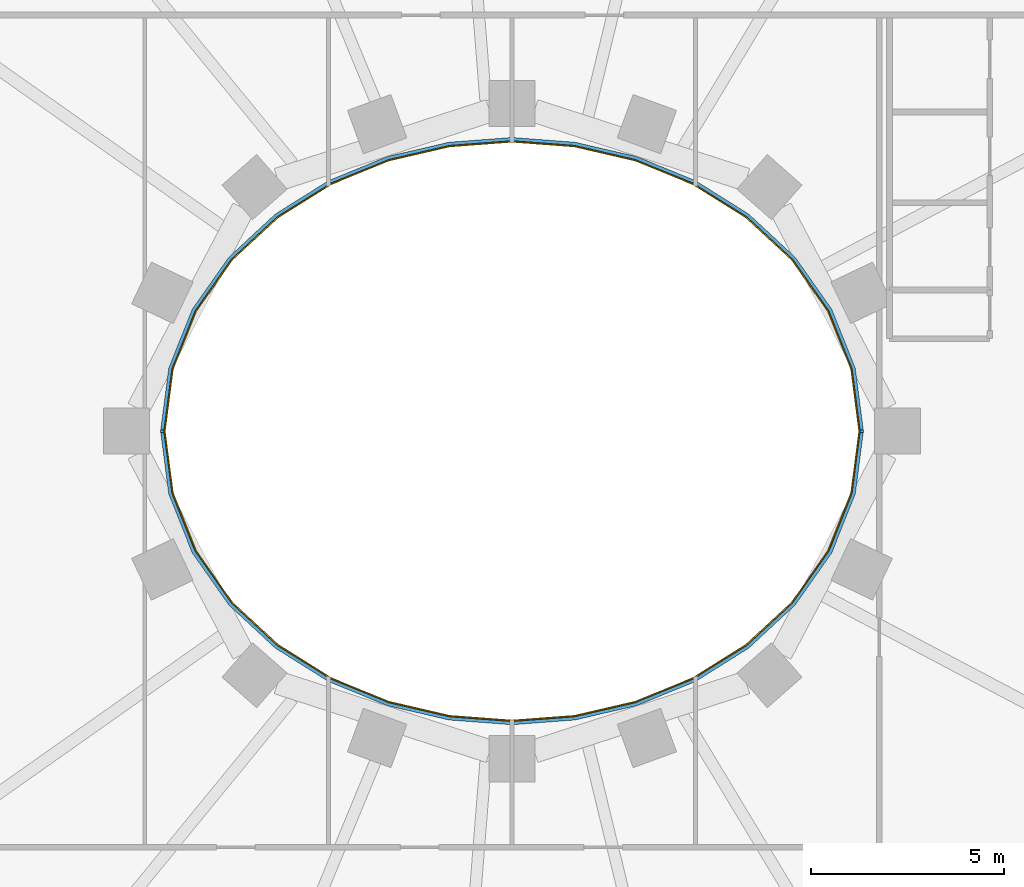
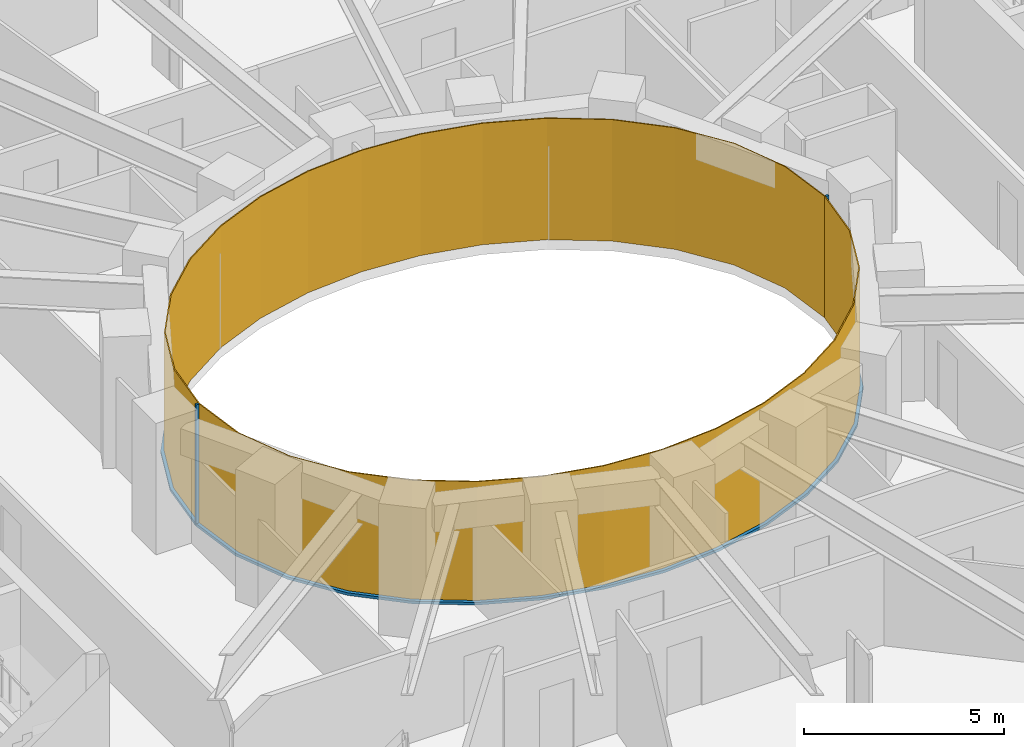
# One storey, part 10 of 15: 4 members, 2 curtain walls.
"""IFC4 building model written with IfcOpenShell, lengths in metres."""

from ifc_helpers import new_model, si_unit, direction, frame, origin, origin_2d, place, context, subcontext, project, spatial, polyline, rectangle, outline, extrude, material, layer, layer_set, material_profile, profile_set, type_object, element, aggregate, save


model = new_model("IFC4")

# Units and contexts
model_context = context("Model", 3, precision=1e-05, world=origin(), true_north=direction((0.0, 1.0)))
body_context = subcontext(model_context, "Body", "Model", "MODEL_VIEW")
ifc_project = project(units=[si_unit("LENGTHUNIT", "METRE"), si_unit("AREAUNIT", "SQUARE_METRE"), si_unit("VOLUMEUNIT", "CUBIC_METRE"), si_unit("PLANEANGLEUNIT", "RADIAN"), si_unit("MASSUNIT", "GRAM", prefix="KILO")], contexts=[model_context])

# Member
ifc_material_1 = material(Name="Steel S355 fire-resisting frame", Category="steel")
ifc_material_profile = material_profile(ifc_material_1, rectangle(XDim=0.090087890625, YDim=0.06005859375, at=origin_2d()), Name="90x60")
ifc_profile_set = profile_set([ifc_material_profile], Name="Steel S355 fire-resisting frame")
member_type_1 = type_object("IfcMemberType", Name="ENV-MULLION-W-90", PredefinedType="MULLION", material=ifc_profile_set)
site_placement = place(None, origin())
building_placement = place(site_placement, origin())
storey_placement = place(building_placement, frame((0.0, 0.0, 92.0)))
member_1_placement = place(storey_placement, frame((9.076904296875, 0.0, 0.0), z_axis=(0.0, 0.0, 1.0), x_axis=(1.0, 0.0, 0.0)))
member_1 = element("IfcMember", 1, at=member_1_placement, type_object=member_type_1, Name="Mullion W well vertex 01", PredefinedType="MULLION", context=body_context, shape_type="SweptSolid", body=[
    extrude(rectangle(XDim=0.090087890625, YDim=0.06005859375, at=origin_2d()), origin(), (0.0, 0.0, 1.0), 3.699951171875),
])

member_2_placement = place(storey_placement, frame((-9.076904296875, 0.0, 0.0), z_axis=(0.0, 0.0, 1.0), x_axis=(-1.0, 0.0, 0.0)))
member_2 = element("IfcMember", 2, at=member_2_placement, type_object=member_type_1, Name="Mullion W well vertex 17", PredefinedType="MULLION", context=body_context, shape_type="SweptSolid", body=[
    extrude(rectangle(XDim=0.090087890625, YDim=0.06005859375, at=origin_2d()), origin(), (0.0, 0.0, 1.0), 3.699951171875),
])

ifc_material_2 = material(Name="Steel S355 fire-resisting frame", Category="steel")
member_type_2 = type_object("IfcMemberType", Name="ENV-TRANSOM-W", PredefinedType="USERDEFINED", material=ifc_material_2)
member_3_placement = place(storey_placement, origin())
member_3 = element("IfcMember", 3, at=member_3_placement, type_object=member_type_2, Name="Transom W well 01-17", ObjectType="TRANSOM", PredefinedType="USERDEFINED", context=body_context, shape_type="SweptSolid", body=[
    extrude(outline(polyline([(9.119384765625, 0.02783203125), (8.910400390625, 1.63623046875), (8.29833984375, 3.167236328125), (7.35107421875, 4.5146484375), (6.1455078125, 5.6337890625), (4.75341796875, 6.50634765625), (3.233642578125, 7.127685546875), (1.635498046875, 7.498779296875), (0.0, 7.622314453125), (-1.635498046875, 7.498779296875), (-3.233642578125, 7.127685546875), (-4.75341796875, 6.50634765625), (-6.1455078125, 5.6337890625), (-7.35107421875, 4.5146484375), (-8.29833984375, 3.167236328125), (-8.910400390625, 1.63623046875), (-9.119384765625, 0.02783203125), (-9.02880859375, 0.02783203125), (-8.822509765625, 1.61328125), (-8.21875, 3.124267578125), (-7.282958984375, 4.455078125), (-6.090576171875, 5.56201171875), (-4.712158203125, 6.426025390625), (-3.206298828125, 7.04150390625), (-1.621826171875, 7.40966796875), (0.0, 7.531982421875), (1.621826171875, 7.40966796875), (3.206298828125, 7.04150390625), (4.712158203125, 6.426025390625), (6.090576171875, 5.56201171875), (7.282958984375, 4.455078125), (8.21875, 3.124267578125), (8.822509765625, 1.61328125), (9.02880859375, 0.02783203125), (9.119384765625, 0.02783203125)])), origin(), (0.0, 0.0, 1.0), 0.080078125),
])

member_4_placement = place(storey_placement, origin())
member_4 = element("IfcMember", 4, at=member_4_placement, type_object=member_type_2, Name="Transom W well 17-01", ObjectType="TRANSOM", PredefinedType="USERDEFINED", context=body_context, shape_type="SweptSolid", body=[
    extrude(outline(polyline([(-9.119384765625, -0.02783203125), (-8.910400390625, -1.63623046875), (-8.29833984375, -3.167236328125), (-7.35107421875, -4.5146484375), (-6.1455078125, -5.6337890625), (-4.75341796875, -6.50634765625), (-3.233642578125, -7.127685546875), (-1.635498046875, -7.498779296875), (0.0, -7.622314453125), (1.635498046875, -7.498779296875), (3.233642578125, -7.127685546875), (4.75341796875, -6.50634765625), (6.1455078125, -5.6337890625), (7.35107421875, -4.5146484375), (8.29833984375, -3.167236328125), (8.910400390625, -1.63623046875), (9.119384765625, -0.02783203125), (9.02880859375, -0.02783203125), (8.822509765625, -1.61328125), (8.21875, -3.124267578125), (7.282958984375, -4.455078125), (6.090576171875, -5.56201171875), (4.712158203125, -6.426025390625), (3.206298828125, -7.04150390625), (1.621826171875, -7.40966796875), (0.0, -7.531982421875), (-1.621826171875, -7.40966796875), (-3.206298828125, -7.04150390625), (-4.712158203125, -6.426025390625), (-6.090576171875, -5.56201171875), (-7.282958984375, -4.455078125), (-8.21875, -3.124267578125), (-8.822509765625, -1.61328125), (-9.02880859375, -0.02783203125), (-9.119384765625, -0.02783203125)])), origin(), (0.0, 0.0, 1.0), 0.080078125),
])

# Site, building, storey
site = spatial("IfcSite", under=ifc_project, at=site_placement, CompositionType="ELEMENT")
building = spatial("IfcBuilding", under=site, at=building_placement, Name="Noorbagh Ring Tower", CompositionType="ELEMENT")
storey = spatial("IfcBuildingStorey", under=building, at=storey_placement, Name="L20", CompositionType="ELEMENT", Elevation=92.0)

# Curtain wall
ifc_material_3 = material(Name="Glass fire-resisting E60 laminated", Category="glass")
ifc_layer = layer(ifc_material_3, 0.031982421875)
ifc_layer_set = layer_set([ifc_layer], Name="Glass fire-resisting E60 laminated")
curtain_wall_type = type_object("IfcCurtainWallType", Name="ENV-CW-W", PredefinedType="NOTDEFINED", material=ifc_layer_set)
curtain_wall_1_placement = place(storey_placement, origin())
curtain_wall_1 = element("IfcCurtainWall", 5, at=curtain_wall_1_placement, inside=storey, type_object=curtain_wall_type, Name="Curtain wall W W01", PredefinedType="NOTDEFINED", context=body_context, shape_type="SweptSolid", body=[
    extrude(outline(polyline([(9.0322265625, 0.0), (8.822509765625, 1.61328125), (8.21875, 3.124267578125), (7.282958984375, 4.455078125), (6.090576171875, 5.56201171875), (4.712158203125, 6.426025390625), (3.206298828125, 7.04150390625), (1.621826171875, 7.40966796875), (0.0, 7.531982421875), (-1.621826171875, 7.40966796875), (-3.206298828125, 7.04150390625), (-4.712158203125, 6.426025390625), (-6.090576171875, 5.56201171875), (-7.282958984375, 4.455078125), (-8.21875, 3.124267578125), (-8.822509765625, 1.61328125), (-9.0322265625, 0.0), (-9.0, 0.0), (-8.79150390625, 1.605224609375), (-8.1904296875, 3.10888671875), (-7.2587890625, 4.43408203125), (-6.071044921875, 5.53662109375), (-4.697509765625, 6.3974609375), (-3.196533203125, 7.010986328125), (-1.6171875, 7.3779296875), (0.0, 7.5), (1.6171875, 7.3779296875), (3.196533203125, 7.010986328125), (4.697509765625, 6.3974609375), (6.071044921875, 5.53662109375), (7.2587890625, 4.43408203125), (8.1904296875, 3.10888671875), (8.79150390625, 1.605224609375), (9.0, 0.0), (9.0322265625, 0.0)])), origin(), (0.0, 0.0, 1.0), 3.699951171875),
])

aggregate(curtain_wall_1, [member_1, member_2, member_3])

curtain_wall_2_placement = place(storey_placement, origin())
curtain_wall_2 = element("IfcCurtainWall", 6, at=curtain_wall_2_placement, inside=storey, type_object=curtain_wall_type, Name="Curtain wall W W17", PredefinedType="NOTDEFINED", context=body_context, shape_type="SweptSolid", body=[
    extrude(outline(polyline([(-9.0322265625, 0.0), (-8.822509765625, -1.61328125), (-8.21875, -3.124267578125), (-7.282958984375, -4.455078125), (-6.090576171875, -5.56201171875), (-4.712158203125, -6.426025390625), (-3.206298828125, -7.04150390625), (-1.621826171875, -7.40966796875), (0.0, -7.531982421875), (1.621826171875, -7.40966796875), (3.206298828125, -7.04150390625), (4.712158203125, -6.426025390625), (6.090576171875, -5.56201171875), (7.282958984375, -4.455078125), (8.21875, -3.124267578125), (8.822509765625, -1.61328125), (9.0322265625, 0.0), (9.0, 0.0), (8.79150390625, -1.605224609375), (8.1904296875, -3.10888671875), (7.2587890625, -4.43408203125), (6.071044921875, -5.53662109375), (4.697509765625, -6.3974609375), (3.196533203125, -7.010986328125), (1.6171875, -7.3779296875), (0.0, -7.5), (-1.6171875, -7.3779296875), (-3.196533203125, -7.010986328125), (-4.697509765625, -6.3974609375), (-6.071044921875, -5.53662109375), (-7.2587890625, -4.43408203125), (-8.1904296875, -3.10888671875), (-8.79150390625, -1.605224609375), (-9.0, 0.0), (-9.0322265625, 0.0)])), origin(), (0.0, 0.0, 1.0), 3.699951171875),
])

aggregate(curtain_wall_2, [member_4])

save(model, "model.ifc")
